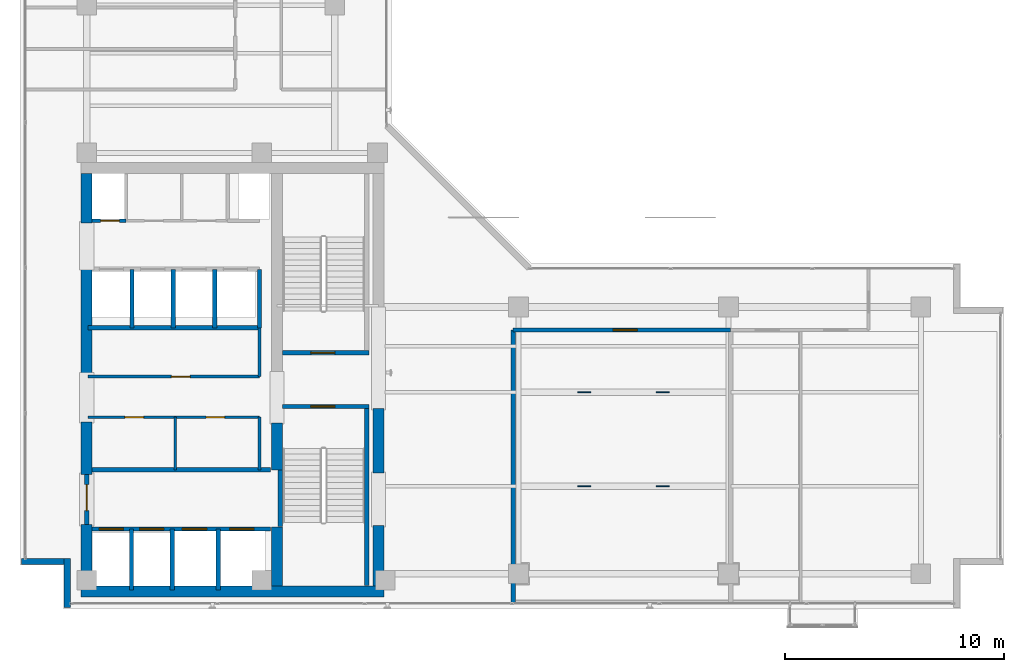
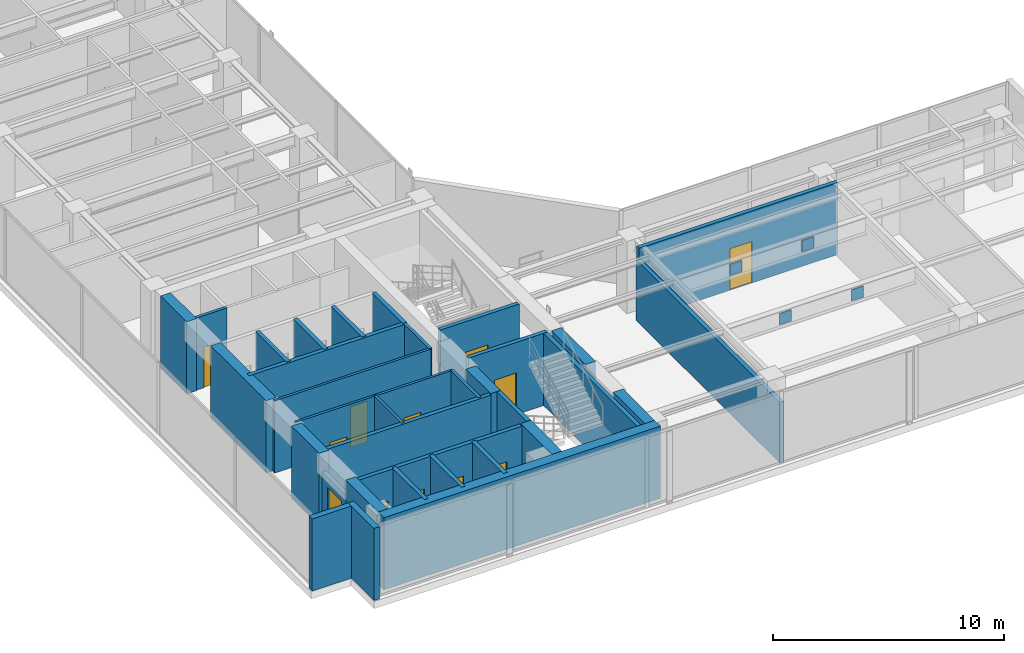
# One storey, part 25 of 32: 34 walls, 12 doors, 4 plates, 12 openings.
"""IFC4 building model written with IfcOpenShell, lengths in metres."""

import ifcopenshell
import ifcopenshell.guid

model = None  # the IFC model being written
_history = None  # IfcOwnerHistory: only IFC2X3 demands one
_inside = {}  # id of a spatial element -> (the spatial element, [elements in it])
_under = {}  # id of a project, library or spatial element -> (it, [spatial elements below it])
_declared = {}  # id of a project -> (the project, [libraries it declares])
_typed = {}  # id of a type object -> (the type object, [elements of that type])
_made_of = {}  # id of a material, layer set ... -> (it, [elements and type objects made of it])


def new_model(schema):
    """Start an empty IFC model of exactly this schema.

    Asked for "IFC4X3", IfcOpenShell would pick the latest addendum, in which some entities
    have other attributes; the version numbers below select the first issue.
    IFC2X3 requires an IfcOwnerHistory on every rooted entity: one is made here for all.
    """
    global model, _history
    if schema == "IFC4X3":
        model = ifcopenshell.file(schema_version=(4, 3, 0, 0))
    else:
        model = ifcopenshell.file(schema=schema)
    _inside.clear()
    _under.clear()
    _declared.clear()
    _typed.clear()
    _made_of.clear()
    _history = None
    if model.schema == "IFC2X3":
        org = make("IfcOrganization", Name="unknown")
        user = make(
            "IfcPersonAndOrganization",
            ThePerson=make("IfcPerson", FamilyName="unknown"),
            TheOrganization=org,
        )
        app = make(
            "IfcApplication",
            ApplicationDeveloper=org,
            Version="unknown",
            ApplicationFullName="unknown",
            ApplicationIdentifier="unknown",
        )
        _history = make(
            "IfcOwnerHistory",
            OwningUser=user,
            OwningApplication=app,
            ChangeAction="ADDED",
            CreationDate=0,
        )
    return model


def make(cls, **values):
    """One entity of the class cls with the attributes given. An attribute that is None is left unset."""
    return model.create_entity(
        cls, **{name: value for name, value in values.items() if value is not None}
    )


def rooted(cls, **values):
    """An entity with a GlobalId (a new one), such as an element, a storey or a relation."""
    return make(cls, GlobalId=ifcopenshell.guid.new(), OwnerHistory=_history, **values)


def si_unit(unit_type, name, prefix=None):
    """IfcSIUnit, for example si_unit("LENGTHUNIT", "METRE", prefix="MILLI")."""
    return make("IfcSIUnit", UnitType=unit_type, Prefix=prefix, Name=name)


def assignment(units):
    """IfcUnitAssignment: the units of a project."""
    return None if units is None else make("IfcUnitAssignment", Units=units)


def point(xyz):
    """IfcCartesianPoint."""
    return None if xyz is None else make("IfcCartesianPoint", Coordinates=xyz)


def direction(xyz):
    """IfcDirection."""
    return None if xyz is None else make("IfcDirection", DirectionRatios=xyz)


def frame(location, z_axis=None, x_axis=None):
    """IfcAxis2Placement3D, a coordinate frame: its origin and axes. An axis left out is left unset."""
    return make(
        "IfcAxis2Placement3D",
        Location=point(location),
        Axis=direction(z_axis),
        RefDirection=direction(x_axis),
    )


def frame_2d(location, x_axis=None):
    """IfcAxis2Placement2D, a coordinate frame in the plane: its origin and x axis."""
    return make(
        "IfcAxis2Placement2D", Location=point(location), RefDirection=direction(x_axis)
    )


def origin():
    """The frame at (0, 0, 0) with its axes left unset."""
    return frame((0.0, 0.0, 0.0))


def origin_with_axes():
    """The frame at (0, 0, 0) with the z axis (0, 0, 1) and the x axis (1, 0, 0) written out."""
    return frame((0.0, 0.0, 0.0), z_axis=(0.0, 0.0, 1.0), x_axis=(1.0, 0.0, 0.0))


def origin_2d():
    """The frame at (0, 0) in the plane with its x axis left unset."""
    return frame_2d((0.0, 0.0))


def place(relative_to, where):
    """IfcLocalPlacement: puts the frame where relative to a parent placement (None: the world)."""
    return make(
        "IfcLocalPlacement", PlacementRelTo=relative_to, RelativePlacement=where
    )


def context(
    kind, dimensions, precision=None, world=None, true_north=None, identifier=None
):
    """IfcGeometricRepresentationContext, for example the 3D "Model" context."""
    return make(
        "IfcGeometricRepresentationContext",
        ContextIdentifier=identifier,
        ContextType=kind,
        CoordinateSpaceDimension=dimensions,
        Precision=precision,
        WorldCoordinateSystem=world,
        TrueNorth=true_north,
    )


def subcontext(parent, identifier, kind, view, scale=None):
    """IfcGeometricRepresentationSubContext, for example "Body" below "Model"."""
    return make(
        "IfcGeometricRepresentationSubContext",
        ContextIdentifier=identifier,
        ContextType=kind,
        ParentContext=parent,
        TargetScale=scale,
        TargetView=view,
    )


def project(units=None, contexts=None):
    """IfcProject with its units and contexts."""
    return rooted(
        "IfcProject",
        Name="project",
        RepresentationContexts=contexts,
        UnitsInContext=assignment(units),
    )


def spatial(cls, under=None, at=None, **own):
    """A site, building, storey or space (cls), placed at a placement, below another one or the project."""
    s = rooted(cls, ObjectPlacement=at, **own)
    if under is not None:
        _under.setdefault(under.id(), (under, []))[1].append(s)
    return s


def profile(cls, at=None, kind="AREA", **sizes):
    """A parametric profile (cls). Its sizes go by their IFC names, for example OverallWidth=200.0."""
    return make(cls, ProfileType=kind, Position=at, **sizes)


def rectangle(**sizes):
    """IfcRectangleProfileDef."""
    return profile("IfcRectangleProfileDef", **sizes)


def extrude(swept, where, along, depth):
    """IfcExtrudedAreaSolid: the profile swept, set in the frame where, extruded along a direction by depth."""
    return make(
        "IfcExtrudedAreaSolid",
        SweptArea=swept,
        Position=where,
        ExtrudedDirection=direction(along),
        Depth=depth,
    )


def shape(context_of_items, identifier, shape_type, items):
    """IfcShapeRepresentation: the items that make up one representation, for example the "Body"."""
    return make(
        "IfcShapeRepresentation",
        ContextOfItems=context_of_items,
        RepresentationIdentifier=identifier,
        RepresentationType=shape_type,
        Items=items,
    )


def source(mapping_origin, context_of_items, identifier, shape_type, items):
    """IfcRepresentationMap: a shape defined once, which mapped items show again and again."""
    return make(
        "IfcRepresentationMap",
        MappingOrigin=mapping_origin,
        MappedRepresentation=shape(context_of_items, identifier, shape_type, items),
    )


def transform(
    local_origin,
    x_axis=None,
    y_axis=None,
    z_axis=None,
    scale=None,
    scale2=None,
    scale3=None,
    uniform=True,
):
    """IfcCartesianTransformationOperator3D, or its non-uniform kind. x_axis, y_axis, z_axis: its Axis1, 2, 3."""
    if uniform:
        return make(
            "IfcCartesianTransformationOperator3D",
            Axis1=direction(x_axis),
            Axis2=direction(y_axis),
            LocalOrigin=point(local_origin),
            Scale=scale,
            Axis3=direction(z_axis),
        )
    return make(
        "IfcCartesianTransformationOperator3DnonUniform",
        Axis1=direction(x_axis),
        Axis2=direction(y_axis),
        LocalOrigin=point(local_origin),
        Scale=scale,
        Axis3=direction(z_axis),
        Scale2=scale2,
        Scale3=scale3,
    )


def mapped(mapping_source, mapping_target):
    """IfcMappedItem: shows the shape of a source again, moved by a transform."""
    return make(
        "IfcMappedItem", MappingSource=mapping_source, MappingTarget=mapping_target
    )


def material(Name=None, Category=None):
    """IfcMaterial."""
    return make("IfcMaterial", Name=Name, Category=Category)


def layer(
    of_material, thickness, ventilated=None, Name=None, Category=None, Priority=None
):
    """IfcMaterialLayer: one layer of a wall or slab, of a material (None: an air gap)."""
    return make(
        "IfcMaterialLayer",
        Material=of_material,
        LayerThickness=thickness,
        IsVentilated=ventilated,
        Name=Name,
        Category=Category,
        Priority=Priority,
    )


def layer_set(layers, Name=None):
    """IfcMaterialLayerSet."""
    return make("IfcMaterialLayerSet", MaterialLayers=layers, LayerSetName=Name)


def made_of(thing, what):
    """Note that an element or type object is made of a material, layer set ...; save() writes the relation."""
    if what is not None:
        _made_of.setdefault(what.id(), (what, []))[1].append(thing)
    return thing


def type_object(cls, material=None, **own):
    """A type object (cls), such as IfcWallType, which elements share."""
    return made_of(rooted(cls, **own), material)


def element(
    cls,
    number,
    at=None,
    inside=None,
    cuts=None,
    type_object=None,
    material=None,
    context=None,
    identifier="Body",
    shape_type=None,
    held_by="IfcProductDefinitionShape",
    body=None,
    shapes=None,
    **own,
):
    """One element of the class cls, such as IfcWall. Its Tag is "e" and its number.

    at: its placement. inside: the storey or other place that contains it. cuts: it is an
    opening in that element (IfcRelVoidsElement). A single representation is given by context,
    identifier, shape_type and body (its items); several are given by shapes. held_by: the class
    of the entity that holds the representations. save() writes the other relations.
    """
    e = rooted(cls, Tag="e%d" % number, ObjectPlacement=at, **own)
    if body is not None:
        shapes = [shape(context, identifier, shape_type, body)]
    if shapes is not None:
        e.Representation = make(held_by, Representations=shapes)
    if inside is not None:
        _inside.setdefault(inside.id(), (inside, []))[1].append(e)
    if cuts is not None:
        rooted(
            "IfcRelVoidsElement", RelatingBuildingElement=cuts, RelatedOpeningElement=e
        )
    if type_object is not None:
        _typed.setdefault(type_object.id(), (type_object, []))[1].append(e)
    return made_of(e, material)


def fill(opening, filler):
    """IfcRelFillsElement: the door or window that sits in an opening."""
    return rooted(
        "IfcRelFillsElement",
        RelatingOpeningElement=opening,
        RelatedBuildingElement=filler,
    )


def aggregate(whole, parts):
    """IfcRelAggregates: a whole, such as a stair, and the parts it consists of."""
    return rooted("IfcRelAggregates", RelatingObject=whole, RelatedObjects=parts)


def save(model, path):
    """Write the relations noted so far, then the file.

    IfcRelAggregates (storeys below a building ...), IfcRelContainedInSpatialStructure (elements
    in a storey), IfcRelDefinesByType, IfcRelAssociatesMaterial and IfcRelDeclares: one each for
    every whole, place, type object, material and project.
    """
    for whole, parts in _under.values():
        aggregate(whole, parts)
    for where, things in _inside.values():
        rooted(
            "IfcRelContainedInSpatialStructure",
            RelatedElements=things,
            RelatingStructure=where,
        )
    for kind, things in _typed.values():
        rooted("IfcRelDefinesByType", RelatedObjects=things, RelatingType=kind)
    for what, things in _made_of.values():
        rooted("IfcRelAssociatesMaterial", RelatedObjects=things, RelatingMaterial=what)
    for by, libraries in _declared.values():
        rooted("IfcRelDeclares", RelatingContext=by, RelatedDefinitions=libraries)
    model.write(path)


model = new_model("IFC4")

# Units and contexts
model_context = context("Model", 3, precision=1e-05, world=origin(), true_north=direction((0.0, 1.0)))
body_context = subcontext(model_context, "Body", "Model", "MODEL_VIEW")
ifc_project = project(units=[si_unit("LENGTHUNIT", "METRE"), si_unit("AREAUNIT", "SQUARE_METRE"), si_unit("VOLUMEUNIT", "CUBIC_METRE"), si_unit("PLANEANGLEUNIT", "RADIAN"), si_unit("MASSUNIT", "GRAM", prefix="KILO")], contexts=[model_context])

# Site, building, storey
site_placement = place(None, origin())
site = spatial("IfcSite", under=ifc_project, at=site_placement, CompositionType="ELEMENT")
building_placement = place(site_placement, origin())
building = spatial("IfcBuilding", under=site, at=building_placement, Name="Kolvaren Waterfront Exchange", CompositionType="ELEMENT")
storey_placement = place(building_placement, frame((0.0, 0.0, 352.0)))
storey = spatial("IfcBuildingStorey", under=building, at=storey_placement, Name="L90", CompositionType="ELEMENT", Elevation=352.0)

# Plates
ifc_material_1 = material(Name="Steel S460", Category="steel")
ifc_layer_1 = layer(ifc_material_1, 0.050048828125, Name="Steel S460")
ifc_layer_set_1 = layer_set([ifc_layer_1], Name="Steel S460")
plate_type = type_object("IfcPlateType", Name="STR-PL-TN1", PredefinedType="USERDEFINED", material=ifc_layer_set_1)
shared_shape = source(origin_with_axes(), body_context, "Body", "SweptSolid", [
    extrude(rectangle(XDim=0.60009765625, YDim=0.050048828125, at=origin_2d()), origin(), (0.0, 0.0, 1.0), 0.60009765625),
])
for number, where, z_axis, x_axis, name in (
    (1, (30.199951171875, 9.199951171875, 3.02001953125), (0.0, 0.0, 1.0), (1.0, 0.0, 0.0), "TUNED MASS DAMPER hanger top flange plate 1"),
    (2, (33.800048828125, 9.199951171875, 3.02001953125), (0.0, 0.0, 1.0), (1.0, 0.0, 0.0), "TUNED MASS DAMPER hanger top flange plate 2"),
    (3, (30.199951171875, 13.5, 3.02001953125), (0.0, 0.0, 1.0), (1.0, 0.0, 0.0), "TUNED MASS DAMPER hanger top flange plate 3"),
    (4, (33.800048828125, 13.5, 3.02001953125), (0.0, 0.0, 1.0), (1.0, 0.0, 0.0), "TUNED MASS DAMPER hanger top flange plate 4"),
):
    element("IfcPlate", number, at=place(storey_placement, frame(where, z_axis=z_axis, x_axis=x_axis)), inside=storey, type_object=plate_type, Name=name, ObjectType="FLANGE PLATE", PredefinedType="USERDEFINED", context=body_context, shape_type="MappedRepresentation", body=[
        mapped(shared_shape, transform((0.0, 0.0, 0.0), x_axis=(1.0, 0.0, 0.0), y_axis=(0.0, 1.0, 0.0), z_axis=(0.0, 0.0, 1.0), scale=1.0)),
    ])

# Walls
ifc_material_2 = material(Name="Precast concrete C40/50", Category="concrete")
ifc_layer_2 = layer(ifc_material_2, 0.280029296875, Name="Precast concrete C40/50")
ifc_layer_set_2 = layer_set([ifc_layer_2], Name="Precast concrete C40/50")
wall_type_1 = type_object("IfcWallType", Name="ARC-EXT-TERR-280", PredefinedType="SOLIDWALL", material=ifc_layer_set_2)
wall_1_placement = place(storey_placement, frame((6.56005859375, 3.659912109375, 0.0), z_axis=(0.0, 0.0, 1.0), x_axis=(0.0, 1.0, 0.0)))
element("IfcWall", 5, at=wall_1_placement, inside=storey, type_object=wall_type_1, Name="L90 notched corner spandrel pier SW-A", PredefinedType="SOLIDWALL", context=body_context, shape_type="SweptSolid", body=[
    extrude(rectangle(XDim=2.239990234375, YDim=0.280029296875, at=frame_2d((1.1201171875, 0.0))), origin(), (0.0, 0.0, 1.0), 3.820068359375),
])
wall_2_placement = place(storey_placement, frame((4.4599609375, 5.760009765625, 0.0), z_axis=(0.0, 0.0, 1.0), x_axis=(1.0, 0.0, 0.0)))
element("IfcWall", 6, at=wall_2_placement, inside=storey, type_object=wall_type_1, Name="L90 notched corner spandrel pier SW-B", PredefinedType="SOLIDWALL", context=body_context, shape_type="SweptSolid", body=[
    extrude(rectangle(XDim=1.9599609375, YDim=0.280029296875, at=frame_2d((0.97998046875, 0.0))), origin(), (0.0, 0.0, 1.0), 3.820068359375),
])

# Wall, opening, door
ifc_layer_3 = layer(ifc_material_2, 0.199951171875, Name="Precast concrete C40/50")
ifc_layer_set_3 = layer_set([ifc_layer_3], Name="Precast concrete C40/50")
wall_type_2 = type_object("IfcWallType", Name="ARC-FIRE-200", PredefinedType="PARTITIONING", material=ifc_layer_set_3)
wall_3_placement = place(storey_placement, frame((16.39990234375, 12.85009765625, 0.0), z_axis=(0.0, 0.0, 1.0), x_axis=(1.0, 0.0, 0.0)))
wall_3 = element("IfcWall", 7, at=wall_3_placement, inside=storey, type_object=wall_type_2, Name="L90 interior wall PW-L90-ST1-THROAT-S", PredefinedType="PARTITIONING", context=body_context, shape_type="SweptSolid", body=[
    extrude(rectangle(XDim=3.960205078125, YDim=0.199951171875, at=frame_2d((1.97998046875, 0.0))), origin(), (0.0, 0.0, 1.0), 3.820068359375),
])
opening_1_placement = place(wall_3_placement, frame((1.3037109375, 0.0, 0.0)))
opening_1 = element("IfcOpeningElement", 8, at=opening_1_placement, cuts=wall_3, Name="Opening FD2", PredefinedType="OPENING", context=body_context, shape_type="SweptSolid", body=[
    extrude(rectangle(XDim=1.10009765625, YDim=2.199951171875, at=frame_2d((0.550048828125, 1.10009765625))), frame((0.0, 0.10986328125, 0.0), z_axis=(0.0, -1.0, 0.0), x_axis=(1.0, 0.0, 0.0)), (0.0, 0.0, 1.0), 0.219970703125),
])
ifc_material_3 = material(Name="Pressed steel smoke-seal fire door", Category="steel")
door_type_1 = type_object("IfcDoorType", Name="ARC-FD-1100", OperationType="NOTDEFINED", PredefinedType="DOOR", material=ifc_material_3)
door_1_placement = place(opening_1_placement, frame((1.10009765625, 0.0, 0.0), z_axis=(0.0, 0.0, 1.0), x_axis=(-1.0, 0.0, 0.0)))
door_1 = element("IfcDoor", 9, at=door_1_placement, inside=storey, type_object=door_type_1, Name="L90 door DR-L90-ST1-IN (FD2)", OperationType="SINGLE_SWING_LEFT", OverallHeight=2.199951171875, OverallWidth=1.10009765625, PredefinedType="DOOR", context=body_context, shape_type="SweptSolid", body=[
    extrude(rectangle(XDim=1.10009765625, YDim=2.199951171875, at=frame_2d((0.550048828125, 1.10009765625))), frame((0.0, 0.02490234375, 0.0), z_axis=(0.0, -1.0, 0.0), x_axis=(1.0, 0.0, 0.0)), (0.0, 0.0, 1.0), 0.050048828125),
])
fill(opening_1, door_1)

wall_4_placement = place(storey_placement, frame((16.409912109375, 15.300048828125, 0.0), z_axis=(0.0, 0.0, 1.0), x_axis=(1.0, 0.0, 0.0)))
wall_4 = element("IfcWall", 10, at=wall_4_placement, inside=storey, type_object=wall_type_2, Name="L90 interior wall PW-L90-ST2-THROAT-N", PredefinedType="PARTITIONING", context=body_context, shape_type="SweptSolid", body=[
    extrude(rectangle(XDim=3.9501953125, YDim=0.199951171875, at=frame_2d((1.97509765625, 0.0))), origin(), (0.0, 0.0, 1.0), 3.820068359375),
])
opening_2_placement = place(wall_4_placement, frame((1.293701171875, 0.0, 0.0)))
opening_2 = element("IfcOpeningElement", 11, at=opening_2_placement, cuts=wall_4, Name="Opening FD2", PredefinedType="OPENING", context=body_context, shape_type="SweptSolid", body=[
    extrude(rectangle(XDim=1.10009765625, YDim=2.199951171875, at=frame_2d((0.550048828125, 1.10009765625))), frame((0.0, 0.10986328125, 0.0), z_axis=(0.0, -1.0, 0.0), x_axis=(1.0, 0.0, 0.0)), (0.0, 0.0, 1.0), 0.219970703125),
])
door_2_placement = place(opening_2_placement, origin())
door_2 = element("IfcDoor", 12, at=door_2_placement, inside=storey, type_object=door_type_1, Name="L90 door DR-L90-ST2-IN (FD2)", OperationType="SINGLE_SWING_RIGHT", OverallHeight=2.199951171875, OverallWidth=1.10009765625, PredefinedType="DOOR", context=body_context, shape_type="SweptSolid", body=[
    extrude(rectangle(XDim=1.10009765625, YDim=2.199951171875, at=frame_2d((0.550048828125, 1.10009765625))), frame((0.0, 0.02490234375, 0.0), z_axis=(0.0, -1.0, 0.0), x_axis=(1.0, 0.0, 0.0)), (0.0, 0.0, 1.0), 0.050048828125),
])
fill(opening_2, door_2)

# Wall
wall_5_placement = place(storey_placement, frame((7.5, 9.949951171875, 0.0), z_axis=(0.0, 0.0, 1.0), x_axis=(1.0, 0.0, 0.0)))
element("IfcWall", 13, at=wall_5_placement, inside=storey, type_object=wall_type_2, Name="L90 interior wall PW-L90-FF-N", PredefinedType="PARTITIONING", context=body_context, shape_type="SweptSolid", body=[
    extrude(rectangle(XDim=8.35009765625, YDim=0.199951171875, at=frame_2d((4.175048828125, 0.0))), origin(), (0.0, 0.0, 1.0), 3.820068359375),
])

# Wall, opening, door
wall_6_placement = place(storey_placement, frame((7.449951171875, 7.449951171875, 0.0), z_axis=(0.0, 0.0, 1.0), x_axis=(0.0, 1.0, 0.0)))
wall_6 = element("IfcWall", 14, at=wall_6_placement, inside=storey, type_object=wall_type_2, Name="L90 interior wall PW-L90-FF-W-DOOR", PredefinedType="PARTITIONING", context=body_context, shape_type="SweptSolid", body=[
    extrude(rectangle(XDim=2.300048828125, YDim=0.199951171875, at=frame_2d((1.14990234375, 0.0))), origin(), (0.0, 0.0, 1.0), 2.800048828125),
])
opening_3_placement = place(wall_6_placement, frame((0.63330078125, 0.0, 0.0)))
opening_3 = element("IfcOpeningElement", 15, at=opening_3_placement, cuts=wall_6, Name="Opening FD3", PredefinedType="OPENING", context=body_context, shape_type="SweptSolid", body=[
    extrude(rectangle(XDim=1.199951171875, YDim=2.25, at=frame_2d((0.60009765625, 1.125))), frame((0.0, 0.10986328125, 0.0), z_axis=(0.0, -1.0, 0.0), x_axis=(1.0, 0.0, 0.0)), (0.0, 0.0, 1.0), 0.219970703125),
])
ifc_material_4 = material(Name="Pressed steel fire door", Category="steel")
door_type_2 = type_object("IfcDoorType", Name="ARC-FD-1200", OperationType="NOTDEFINED", PredefinedType="DOOR", material=ifc_material_4)
door_3_placement = place(opening_3_placement, frame((1.199951171875, 0.0, 0.0), z_axis=(0.0, 0.0, 1.0), x_axis=(-1.0, 0.0, 0.0)))
door_3 = element("IfcDoor", 16, at=door_3_placement, inside=storey, type_object=door_type_2, Name="L90 door DR-L90-FF-OUT (FD3)", OperationType="SINGLE_SWING_LEFT", OverallHeight=2.25, OverallWidth=1.199951171875, PredefinedType="DOOR", context=body_context, shape_type="SweptSolid", body=[
    extrude(rectangle(XDim=1.199951171875, YDim=2.25, at=frame_2d((0.60009765625, 1.125))), frame((0.0, 0.02490234375, 0.0), z_axis=(0.0, -1.0, 0.0), x_axis=(1.0, 0.0, 0.0)), (0.0, 0.0, 1.0), 0.050048828125),
])
fill(opening_3, door_3)

# Wall
wall_7_placement = place(storey_placement, frame((26.949951171875, 3.85009765625, 0.0), z_axis=(0.0, 0.0, 1.0), x_axis=(0.0, 1.0, 0.0)))
element("IfcWall", 17, at=wall_7_placement, inside=storey, type_object=wall_type_2, Name="L90 interior wall PW-L90-TMD-W", PredefinedType="PARTITIONING", context=body_context, shape_type="SweptSolid", body=[
    extrude(rectangle(XDim=12.5, YDim=0.199951171875, at=frame_2d((6.25, 0.0))), origin(), (0.0, 0.0, 1.0), 3.219970703125),
])

# Wall, opening, door
wall_8_placement = place(storey_placement, frame((26.949951171875, 16.35009765625, 0.0), z_axis=(0.0, 0.0, 1.0), x_axis=(1.0, 0.0, 0.0)))
wall_8 = element("IfcWall", 18, at=wall_8_placement, inside=storey, type_object=wall_type_2, Name="L90 interior wall PW-L90-TMD-N", PredefinedType="PARTITIONING", context=body_context, shape_type="SweptSolid", body=[
    extrude(rectangle(XDim=9.949951171875, YDim=0.199951171875, at=frame_2d((4.97509765625, 0.0))), origin(), (0.0, 0.0, 1.0), 3.820068359375),
])
opening_4_placement = place(wall_8_placement, frame((4.570068359375, 0.0, 0.0)))
opening_4 = element("IfcOpeningElement", 19, at=opening_4_placement, cuts=wall_8, Name="Opening FD2", PredefinedType="OPENING", context=body_context, shape_type="SweptSolid", body=[
    extrude(rectangle(XDim=1.10009765625, YDim=2.199951171875, at=frame_2d((0.550048828125, 1.10009765625))), frame((0.0, 0.10986328125, 0.0), z_axis=(0.0, -1.0, 0.0), x_axis=(1.0, 0.0, 0.0)), (0.0, 0.0, 1.0), 0.219970703125),
])
door_4_placement = place(opening_4_placement, origin())
door_4 = element("IfcDoor", 20, at=door_4_placement, inside=storey, type_object=door_type_1, Name="L90 door DR-L90-TMD-D (FD2)", OperationType="SINGLE_SWING_RIGHT", OverallHeight=2.199951171875, OverallWidth=1.10009765625, PredefinedType="DOOR", context=body_context, shape_type="SweptSolid", body=[
    extrude(rectangle(XDim=1.10009765625, YDim=2.199951171875, at=frame_2d((0.550048828125, 1.10009765625))), frame((0.0, 0.02490234375, 0.0), z_axis=(0.0, -1.0, 0.0), x_axis=(1.0, 0.0, 0.0)), (0.0, 0.0, 1.0), 0.050048828125),
])
fill(opening_4, door_4)

# Wall, openings, doors
ifc_material_5 = material(Name="Acoustic gypsum steel stud", Category="steel")
ifc_layer_4 = layer(ifc_material_5, 0.125, Name="Acoustic gypsum steel stud")
ifc_layer_set_4 = layer_set([ifc_layer_4], Name="Acoustic gypsum steel stud")
wall_type_3 = type_object("IfcWallType", Name="ARC-PART-125", PredefinedType="PARTITIONING", material=ifc_layer_set_4)
wall_9_placement = place(storey_placement, frame((7.5, 12.360107421875, 0.0), z_axis=(0.0, 0.0, 1.0), x_axis=(1.0, 0.0, 0.0)))
wall_9 = element("IfcWall", 21, at=wall_9_placement, inside=storey, type_object=wall_type_3, Name="L90 interior wall PW-L90-REC-HI-S", PredefinedType="PARTITIONING", context=body_context, shape_type="SweptSolid", body=[
    extrude(rectangle(XDim=7.85009765625, YDim=0.125, at=frame_2d((3.925048828125, 0.0))), origin(), (0.0, 0.0, 1.0), 3.820068359375),
])
opening_5_placement = place(wall_9_placement, frame((1.699951171875, 0.0, 0.0)))
opening_5 = element("IfcOpeningElement", 22, at=opening_5_placement, cuts=wall_9, Name="Opening D01", PredefinedType="OPENING", context=body_context, shape_type="SweptSolid", body=[
    extrude(rectangle(XDim=0.85009765625, YDim=2.14990234375, at=frame_2d((0.425048828125, 1.074951171875))), frame((0.0, 0.072509765625, 0.0), z_axis=(0.0, -1.0, 0.0), x_axis=(1.0, 0.0, 0.0)), (0.0, 0.0, 1.0), 0.14501953125),
])
opening_6_placement = place(wall_9_placement, frame((5.41259765625, 0.0, 0.0)))
opening_6 = element("IfcOpeningElement", 23, at=opening_6_placement, cuts=wall_9, Name="Opening D01", PredefinedType="OPENING", context=body_context, shape_type="SweptSolid", body=[
    extrude(rectangle(XDim=0.85009765625, YDim=2.14990234375, at=frame_2d((0.425048828125, 1.074951171875))), frame((0.0, 0.072509765625, 0.0), z_axis=(0.0, -1.0, 0.0), x_axis=(1.0, 0.0, 0.0)), (0.0, 0.0, 1.0), 0.14501953125),
])
ifc_material_6 = material(Name="Oak veneer timber leaf", Category="wood")
door_type_3 = type_object("IfcDoorType", Name="ARC-DR-900", OperationType="NOTDEFINED", PredefinedType="DOOR", material=ifc_material_6)
door_5_placement = place(opening_5_placement, origin())
door_5 = element("IfcDoor", 24, at=door_5_placement, inside=storey, type_object=door_type_3, Name="L90 door DR-L90-REC-HI-D1 (D01)", OperationType="SINGLE_SWING_RIGHT", OverallHeight=2.14990234375, OverallWidth=0.85009765625, PredefinedType="DOOR", context=body_context, shape_type="SweptSolid", body=[
    extrude(rectangle(XDim=0.85009765625, YDim=2.14990234375, at=frame_2d((0.425048828125, 1.074951171875))), frame((0.0, 0.02490234375, 0.0), z_axis=(0.0, -1.0, 0.0), x_axis=(1.0, 0.0, 0.0)), (0.0, 0.0, 1.0), 0.050048828125),
])
fill(opening_5, door_5)
door_6_placement = place(opening_6_placement, origin())
door_6 = element("IfcDoor", 25, at=door_6_placement, inside=storey, type_object=door_type_3, Name="L90 door DR-L90-REC-HI-D2 (D01)", OperationType="SINGLE_SWING_LEFT", OverallHeight=2.14990234375, OverallWidth=0.85009765625, PredefinedType="DOOR", context=body_context, shape_type="SweptSolid", body=[
    extrude(rectangle(XDim=0.85009765625, YDim=2.14990234375, at=frame_2d((0.425048828125, 1.074951171875))), frame((0.0, 0.02490234375, 0.0), z_axis=(0.0, -1.0, 0.0), x_axis=(1.0, 0.0, 0.0)), (0.0, 0.0, 1.0), 0.050048828125),
])
fill(opening_6, door_6)

# Wall, opening, door
wall_10_placement = place(storey_placement, frame((7.5, 14.219970703125, 0.0), z_axis=(0.0, 0.0, 1.0), x_axis=(1.0, 0.0, 0.0)))
wall_10 = element("IfcWall", 26, at=wall_10_placement, inside=storey, type_object=wall_type_3, Name="L90 interior wall PW-L90-REC-HI-N", PredefinedType="PARTITIONING", context=body_context, shape_type="SweptSolid", body=[
    extrude(rectangle(XDim=7.85009765625, YDim=0.125, at=frame_2d((3.925048828125, 0.0))), origin(), (0.0, 0.0, 1.0), 3.820068359375),
])
opening_7_placement = place(wall_10_placement, frame((3.824951171875, 0.0, 0.0)))
opening_7 = element("IfcOpeningElement", 27, at=opening_7_placement, cuts=wall_10, Name="Opening D01", PredefinedType="OPENING", context=body_context, shape_type="SweptSolid", body=[
    extrude(rectangle(XDim=0.85009765625, YDim=2.14990234375, at=frame_2d((0.425048828125, 1.074951171875))), frame((0.0, 0.072509765625, 0.0), z_axis=(0.0, -1.0, 0.0), x_axis=(1.0, 0.0, 0.0)), (0.0, 0.0, 1.0), 0.14501953125),
])
door_7_placement = place(opening_7_placement, origin())
door_7 = element("IfcDoor", 28, at=door_7_placement, inside=storey, type_object=door_type_3, Name="L90 door DR-L90-REC-HI-D3 (D01)", OperationType="SINGLE_SWING_RIGHT", OverallHeight=2.14990234375, OverallWidth=0.85009765625, PredefinedType="DOOR", context=body_context, shape_type="SweptSolid", body=[
    extrude(rectangle(XDim=0.85009765625, YDim=2.14990234375, at=frame_2d((0.425048828125, 1.074951171875))), frame((0.0, 0.02490234375, 0.0), z_axis=(0.0, -1.0, 0.0), x_axis=(1.0, 0.0, 0.0)), (0.0, 0.0, 1.0), 0.050048828125),
])
fill(opening_7, door_7)

# Walls
wall_11_placement = place(storey_placement, frame((11.5, 9.949951171875, 0.0), z_axis=(0.0, 0.0, 1.0), x_axis=(0.0, 1.0, 0.0)))
element("IfcWall", 29, at=wall_11_placement, inside=storey, type_object=wall_type_3, Name="L90 interior wall PW-L90-REC-HI-MS1", PredefinedType="PARTITIONING", context=body_context, shape_type="SweptSolid", body=[
    extrude(rectangle(XDim=2.41015625, YDim=0.125, at=frame_2d((1.205078125, 0.0))), origin(), (0.0, 0.0, 1.0), 3.820068359375),
])
ifc_material_7 = material(Name="Gypsum fireboard steel stud", Category="steel")
ifc_layer_5 = layer(ifc_material_7, 0.14990234375, Name="Gypsum fireboard steel stud")
ifc_layer_set_5 = layer_set([ifc_layer_5], Name="Gypsum fireboard steel stud")
wall_type_4 = type_object("IfcWallType", Name="ARC-PART-150", PredefinedType="PARTITIONING", material=ifc_layer_set_5)
wall_12_placement = place(storey_placement, frame((15.35009765625, 9.949951171875, 0.0), z_axis=(0.0, 0.0, 1.0), x_axis=(0.0, 1.0, 0.0)))
element("IfcWall", 30, at=wall_12_placement, inside=storey, type_object=wall_type_4, Name="L90 interior wall PW-L90-REC-HI-E1", PredefinedType="PARTITIONING", context=body_context, shape_type="SweptSolid", body=[
    extrude(rectangle(XDim=2.41015625, YDim=0.14990234375, at=frame_2d((1.205078125, 0.0))), origin(), (0.0, 0.0, 1.0), 3.820068359375),
])
wall_13_placement = place(storey_placement, frame((15.35009765625, 14.219970703125, 0.0), z_axis=(0.0, 0.0, 1.0), x_axis=(0.0, 1.0, 0.0)))
element("IfcWall", 31, at=wall_13_placement, inside=storey, type_object=wall_type_4, Name="L90 interior wall PW-L90-REC-HI-E2", PredefinedType="PARTITIONING", context=body_context, shape_type="SweptSolid", body=[
    extrude(rectangle(XDim=2.22998046875, YDim=0.14990234375, at=frame_2d((1.114990234375, 0.0))), origin(), (0.0, 0.0, 1.0), 3.820068359375),
])

# Wall, opening, door
wall_14_placement = place(storey_placement, frame((7.699951171875, 21.35009765625, 0.0), z_axis=(0.0, 0.0, 1.0), x_axis=(1.0, 0.0, 0.0)))
wall_14 = element("IfcWall", 32, at=wall_14_placement, inside=storey, type_object=wall_type_4, Name="L90 interior wall PW-L90-SVC-RE-S", PredefinedType="PARTITIONING", context=body_context, shape_type="SweptSolid", body=[
    extrude(rectangle(XDim=1.550048828125, YDim=0.14990234375, at=frame_2d((0.77490234375, 0.0))), origin(), (0.0, 0.0, 1.0), 3.820068359375),
])
opening_8_placement = place(wall_14_placement, frame((0.389892578125, 0.0, 0.0)))
opening_8 = element("IfcOpeningElement", 33, at=opening_8_placement, cuts=wall_14, Name="Opening FD1", PredefinedType="OPENING", context=body_context, shape_type="SweptSolid", body=[
    extrude(rectangle(XDim=0.85009765625, YDim=2.14990234375, at=frame_2d((0.425048828125, 1.074951171875))), frame((0.0, 0.0849609375, 0.0), z_axis=(0.0, -1.0, 0.0), x_axis=(1.0, 0.0, 0.0)), (0.0, 0.0, 1.0), 0.169921875),
])
ifc_material_8 = material(Name="Pressed steel fire leaf", Category="steel")
door_type_4 = type_object("IfcDoorType", Name="ARC-FD-900", OperationType="NOTDEFINED", PredefinedType="DOOR", material=ifc_material_8)
door_8_placement = place(opening_8_placement, origin())
door_8 = element("IfcDoor", 34, at=door_8_placement, inside=storey, type_object=door_type_4, Name="L90 door DR-L90-RISER-E-DR (FD1)", OperationType="SINGLE_SWING_LEFT", OverallHeight=2.14990234375, OverallWidth=0.85009765625, PredefinedType="DOOR", context=body_context, shape_type="SweptSolid", body=[
    extrude(rectangle(XDim=0.85009765625, YDim=2.14990234375, at=frame_2d((0.425048828125, 1.074951171875))), frame((0.0, 0.02490234375, 0.0), z_axis=(0.0, -1.0, 0.0), x_axis=(1.0, 0.0, 0.0)), (0.0, 0.0, 1.0), 0.050048828125),
])
fill(opening_8, door_8)

# Walls
ifc_material_9 = material(Name="Concrete C40/50", Category="concrete")
ifc_layer_6 = layer(ifc_material_9, 0.199951171875, Name="Concrete C40/50")
ifc_layer_set_6 = layer_set([ifc_layer_6], Name="Concrete C40/50")
wall_type_5 = type_object("IfcWallType", Name="ARC-SHAFT-200", PredefinedType="PARTITIONING", material=ifc_layer_set_6)
wall_15_placement = place(storey_placement, frame((16.300048828125, 7.360107421875, 0.0), z_axis=(0.0, 0.0, 1.0), x_axis=(0.0, 1.0, 0.0)))
element("IfcWall", 35, at=wall_15_placement, inside=storey, type_object=wall_type_5, Name="L90 structural stairwell wall PW-L90-ST1-W", PredefinedType="SHEAR", context=body_context, shape_type="SweptSolid", body=[
    extrude(rectangle(XDim=2.579833984375, YDim=0.199951171875, at=frame_2d((1.2900390625, 0.0))), origin(), (0.0, 0.0, 1.0), 3.820068359375),
])
wall_16_placement = place(storey_placement, frame((20.260009765625, 4.659912109375, 0.0), z_axis=(0.0, 0.0, 1.0), x_axis=(0.0, 1.0, 0.0)))
element("IfcWall", 36, at=wall_16_placement, inside=storey, type_object=wall_type_5, Name="L90 structural stairwell wall PW-L90-ST1-E", PredefinedType="SHEAR", context=body_context, shape_type="SweptSolid", body=[
    extrude(rectangle(XDim=8.090087890625, YDim=0.199951171875, at=frame_2d((4.044921875, 0.0))), origin(), (0.0, 0.0, 1.0), 3.820068359375),
])

# Wall, openings, doors
wall_17_placement = place(storey_placement, frame((7.5, 7.25, 0.0), z_axis=(0.0, 0.0, 1.0), x_axis=(1.0, 0.0, 0.0)))
wall_17 = element("IfcWall", 37, at=wall_17_placement, inside=storey, type_object=wall_type_5, Name="L90 interior wall PW-L90-FF-S", PredefinedType="PARTITIONING", context=body_context, shape_type="SweptSolid", body=[
    extrude(rectangle(XDim=8.35009765625, YDim=0.199951171875, at=frame_2d((4.175048828125, 0.0))), origin(), (0.0, 0.0, 1.0), 3.820068359375),
])
opening_9_placement = place(wall_17_placement, frame((0.530029296875, 0.0, 0.0)))
opening_9 = element("IfcOpeningElement", 38, at=opening_9_placement, cuts=wall_17, Name="Opening LD1", PredefinedType="OPENING", context=body_context, shape_type="SweptSolid", body=[
    extrude(rectangle(XDim=1.10009765625, YDim=2.199951171875, at=frame_2d((0.550048828125, 1.10009765625))), frame((0.0, 0.10986328125, 0.0), z_axis=(0.0, -1.0, 0.0), x_axis=(1.0, 0.0, 0.0)), (0.0, 0.0, 1.0), 0.219970703125),
])
opening_10_placement = place(wall_17_placement, frame((2.3701171875, 0.0, 0.0)))
opening_10 = element("IfcOpeningElement", 39, at=opening_10_placement, cuts=wall_17, Name="Opening LD1", PredefinedType="OPENING", context=body_context, shape_type="SweptSolid", body=[
    extrude(rectangle(XDim=1.10009765625, YDim=2.199951171875, at=frame_2d((0.550048828125, 1.10009765625))), frame((0.0, 0.10986328125, 0.0), z_axis=(0.0, -1.0, 0.0), x_axis=(1.0, 0.0, 0.0)), (0.0, 0.0, 1.0), 0.219970703125),
])
opening_11_placement = place(wall_17_placement, frame((4.330078125, 0.0, 0.0)))
opening_11 = element("IfcOpeningElement", 40, at=opening_11_placement, cuts=wall_17, Name="Opening LD1", PredefinedType="OPENING", context=body_context, shape_type="SweptSolid", body=[
    extrude(rectangle(XDim=1.10009765625, YDim=2.199951171875, at=frame_2d((0.550048828125, 1.10009765625))), frame((0.0, 0.10986328125, 0.0), z_axis=(0.0, -1.0, 0.0), x_axis=(1.0, 0.0, 0.0)), (0.0, 0.0, 1.0), 0.219970703125),
])
opening_12_placement = place(wall_17_placement, frame((6.5, 0.0, 0.0)))
opening_12 = element("IfcOpeningElement", 41, at=opening_12_placement, cuts=wall_17, Name="Opening LD1", PredefinedType="OPENING", context=body_context, shape_type="SweptSolid", body=[
    extrude(rectangle(XDim=1.10009765625, YDim=2.199951171875, at=frame_2d((0.550048828125, 1.10009765625))), frame((0.0, 0.10986328125, 0.0), z_axis=(0.0, -1.0, 0.0), x_axis=(1.0, 0.0, 0.0)), (0.0, 0.0, 1.0), 0.219970703125),
])
ifc_material_10 = material(Name="Stainless steel sliding landing door", Category="steel")
door_type_5 = type_object("IfcDoorType", Name="ARC-LD-FF", OperationType="SLIDING_TO_LEFT", PredefinedType="DOOR", material=ifc_material_10)
door_9_placement = place(opening_9_placement, origin())
door_9 = element("IfcDoor", 42, at=door_9_placement, inside=storey, type_object=door_type_5, Name="L90 door LD-L90-FFL1 (LD1)", OperationType="SLIDING_TO_LEFT", OverallHeight=2.199951171875, OverallWidth=1.10009765625, PredefinedType="DOOR", context=body_context, shape_type="SweptSolid", body=[
    extrude(rectangle(XDim=1.10009765625, YDim=2.199951171875, at=frame_2d((0.550048828125, 1.10009765625))), frame((0.0, 0.02490234375, 0.0), z_axis=(0.0, -1.0, 0.0), x_axis=(1.0, 0.0, 0.0)), (0.0, 0.0, 1.0), 0.050048828125),
])
fill(opening_9, door_9)
door_10_placement = place(opening_10_placement, origin())
door_10 = element("IfcDoor", 43, at=door_10_placement, inside=storey, type_object=door_type_5, Name="L90 door LD-L90-FFL2 (LD1)", OperationType="SLIDING_TO_LEFT", OverallHeight=2.199951171875, OverallWidth=1.10009765625, PredefinedType="DOOR", context=body_context, shape_type="SweptSolid", body=[
    extrude(rectangle(XDim=1.10009765625, YDim=2.199951171875, at=frame_2d((0.550048828125, 1.10009765625))), frame((0.0, 0.02490234375, 0.0), z_axis=(0.0, -1.0, 0.0), x_axis=(1.0, 0.0, 0.0)), (0.0, 0.0, 1.0), 0.050048828125),
])
fill(opening_10, door_10)
door_11_placement = place(opening_11_placement, origin())
door_11 = element("IfcDoor", 44, at=door_11_placement, inside=storey, type_object=door_type_5, Name="L90 door LD-L90-GL1 (LD1)", OperationType="SLIDING_TO_LEFT", OverallHeight=2.199951171875, OverallWidth=1.10009765625, PredefinedType="DOOR", context=body_context, shape_type="SweptSolid", body=[
    extrude(rectangle(XDim=1.10009765625, YDim=2.199951171875, at=frame_2d((0.550048828125, 1.10009765625))), frame((0.0, 0.02490234375, 0.0), z_axis=(0.0, -1.0, 0.0), x_axis=(1.0, 0.0, 0.0)), (0.0, 0.0, 1.0), 0.050048828125),
])
fill(opening_11, door_11)
door_12_placement = place(opening_12_placement, origin())
door_12 = element("IfcDoor", 45, at=door_12_placement, inside=storey, type_object=door_type_5, Name="L90 door LD-L90-GL2 (LD1)", OperationType="SLIDING_TO_LEFT", OverallHeight=2.199951171875, OverallWidth=1.10009765625, PredefinedType="DOOR", context=body_context, shape_type="SweptSolid", body=[
    extrude(rectangle(XDim=1.10009765625, YDim=2.199951171875, at=frame_2d((0.550048828125, 1.10009765625))), frame((0.0, 0.02490234375, 0.0), z_axis=(0.0, -1.0, 0.0), x_axis=(1.0, 0.0, 0.0)), (0.0, 0.0, 1.0), 0.050048828125),
])
fill(opening_12, door_12)

# Walls
for number, where, z_axis, x_axis, name in (
    (46, (9.5, 4.449951171875, 0.0), (0.0, 0.0, 1.0), (0.0, 1.0, 0.0), "L90 interior wall PW-L90-SH1-DIV-95"),
    (47, (11.360107421875, 4.449951171875, 0.0), (0.0, 0.0, 1.0), (0.0, 1.0, 0.0), "L90 interior wall PW-L90-SH1-DIV-113"),
    (48, (13.4599609375, 4.449951171875, 0.0), (0.0, 0.0, 1.0), (0.0, 1.0, 0.0), "L90 interior wall PW-L90-SH1-DIV-134"),
):
    element("IfcWall", number, at=place(storey_placement, frame(where, z_axis=z_axis, x_axis=x_axis)), inside=storey, type_object=wall_type_5, Name=name, PredefinedType="PARTITIONING", context=body_context, shape_type="SweptSolid", body=[
        extrude(rectangle(XDim=2.800048828125, YDim=0.199951171875, at=frame_2d((1.39990234375, 0.0))), origin(), (0.0, 0.0, 1.0), 3.820068359375),
    ])
wall_18_placement = place(storey_placement, frame((7.5, 16.449951171875, 0.0), z_axis=(0.0, 0.0, 1.0), x_axis=(1.0, 0.0, 0.0)))
element("IfcWall", 49, at=wall_18_placement, inside=storey, type_object=wall_type_5, Name="L90 interior wall PW-L90-REC-PM-N", PredefinedType="PARTITIONING", context=body_context, shape_type="SweptSolid", body=[
    extrude(rectangle(XDim=7.85009765625, YDim=0.199951171875, at=frame_2d((3.925048828125, 0.0))), origin(), (0.0, 0.0, 1.0), 3.820068359375),
])
for number, where, z_axis, x_axis, name in (
    (50, (15.35009765625, 16.449951171875, 0.0), (0.0, 0.0, 1.0), (0.0, 1.0, 0.0), "L90 interior wall PW-L90-PH-E"),
    (51, (9.52001953125, 16.449951171875, 0.0), (0.0, 0.0, 1.0), (0.0, 1.0, 0.0), "L90 interior wall PW-L90-SH4-DIV-95"),
    (52, (11.409912109375, 16.449951171875, 0.0), (0.0, 0.0, 1.0), (0.0, 1.0, 0.0), "L90 interior wall PW-L90-SH4-DIV-114"),
    (53, (13.300048828125, 16.449951171875, 0.0), (0.0, 0.0, 1.0), (0.0, 1.0, 0.0), "L90 interior wall PW-L90-SH4-DIV-133"),
):
    element("IfcWall", number, at=place(storey_placement, frame(where, z_axis=z_axis, x_axis=x_axis)), inside=storey, type_object=wall_type_5, Name=name, PredefinedType="PARTITIONING", context=body_context, shape_type="SweptSolid", body=[
        extrude(rectangle(XDim=2.670166015625, YDim=0.199951171875, at=frame_2d((1.3349609375, 0.0))), origin(), (0.0, 0.0, 1.0), 3.820068359375),
    ])
ifc_material_11 = material(Name="Concrete C50/60", Category="concrete")
ifc_layer_7 = layer(ifc_material_11, 0.5, Name="Concrete C50/60")
ifc_layer_set_7 = layer_set([ifc_layer_7], Name="Concrete C50/60")
wall_type_6 = type_object("IfcWallType", Name="STR-CWALL-500", PredefinedType="SHEAR", material=ifc_layer_set_7)
wall_19_placement = place(storey_placement, frame((7.199951171875, 4.39990234375, 0.0), z_axis=(0.0, 0.0, 1.0), x_axis=(1.0, 0.0, 0.0)))
element("IfcWall", 54, at=wall_19_placement, inside=storey, type_object=wall_type_6, Name="L90 rear-core shear wall S", PredefinedType="SHEAR", context=body_context, shape_type="SweptSolid", body=[
    extrude(rectangle(XDim=13.85009765625, YDim=0.5, at=frame_2d((6.925048828125, 0.0))), origin(), (0.0, 0.0, 1.0), 3.820068359375),
])
wall_20_placement = place(storey_placement, frame((7.449951171875, 4.64990234375, 0.0), z_axis=(0.0, 0.0, 1.0), x_axis=(0.0, 1.0, 0.0)))
element("IfcWall", 55, at=wall_20_placement, inside=storey, type_object=wall_type_6, Name="L90 rear-core shear wall W1", PredefinedType="SHEAR", context=body_context, shape_type="SweptSolid", body=[
    extrude(rectangle(XDim=2.800048828125, YDim=0.5, at=frame_2d((1.39990234375, 0.0))), origin(), (0.0, 0.0, 1.0), 3.820068359375),
])
wall_21_placement = place(storey_placement, frame((7.449951171875, 9.75, 0.0), z_axis=(0.0, 0.0, 1.0), x_axis=(0.0, 1.0, 0.0)))
element("IfcWall", 56, at=wall_21_placement, inside=storey, type_object=wall_type_6, Name="L90 rear-core shear wall W2A", PredefinedType="SHEAR", context=body_context, shape_type="SweptSolid", body=[
    extrude(rectangle(XDim=2.39990234375, YDim=0.5, at=frame_2d((1.199951171875, 0.0))), origin(), (0.0, 0.0, 1.0), 3.820068359375),
])
wall_22_placement = place(storey_placement, frame((7.449951171875, 14.35009765625, 0.0), z_axis=(0.0, 0.0, 1.0), x_axis=(0.0, 1.0, 0.0)))
element("IfcWall", 57, at=wall_22_placement, inside=storey, type_object=wall_type_6, Name="L90 rear-core shear wall W2B", PredefinedType="SHEAR", context=body_context, shape_type="SweptSolid", body=[
    extrude(rectangle(XDim=4.809814453125, YDim=0.5, at=frame_2d((2.40478515625, 0.0))), origin(), (0.0, 0.0, 1.0), 3.820068359375),
])
wall_23_placement = place(storey_placement, frame((7.449951171875, 21.239990234375, 0.0), z_axis=(0.0, 0.0, 1.0), x_axis=(0.0, 1.0, 0.0)))
element("IfcWall", 58, at=wall_23_placement, inside=storey, type_object=wall_type_6, Name="L90 rear-core shear wall W3", PredefinedType="SHEAR", context=body_context, shape_type="SweptSolid", body=[
    extrude(rectangle(XDim=2.260009765625, YDim=0.5, at=frame_2d((1.1298828125, 0.0))), origin(), (0.0, 0.0, 1.0), 3.820068359375),
])
wall_24_placement = place(storey_placement, frame((20.800048828125, 4.64990234375, 0.0), z_axis=(0.0, 0.0, 1.0), x_axis=(0.0, 1.0, 0.0)))
element("IfcWall", 59, at=wall_24_placement, inside=storey, type_object=wall_type_6, Name="L90 rear-core shear wall E1", PredefinedType="SHEAR", context=body_context, shape_type="SweptSolid", body=[
    extrude(rectangle(XDim=2.75, YDim=0.5, at=frame_2d((1.375, 0.0))), origin(), (0.0, 0.0, 1.0), 3.820068359375),
])
wall_25_placement = place(storey_placement, frame((20.800048828125, 9.800048828125, 0.0), z_axis=(0.0, 0.0, 1.0), x_axis=(0.0, 1.0, 0.0)))
element("IfcWall", 60, at=wall_25_placement, inside=storey, type_object=wall_type_6, Name="L90 rear-core shear wall E2", PredefinedType="SHEAR", context=body_context, shape_type="SweptSolid", body=[
    extrude(rectangle(XDim=2.949951171875, YDim=0.5, at=frame_2d((1.47509765625, 0.0))), origin(), (0.0, 0.0, 1.0), 3.820068359375),
])
wall_26_placement = place(storey_placement, frame((16.14990234375, 4.64990234375, 0.0), z_axis=(0.0, 0.0, 1.0), x_axis=(0.0, 1.0, 0.0)))
element("IfcWall", 61, at=wall_26_placement, inside=storey, type_object=wall_type_6, Name="L90 rear-core shear wall M1", PredefinedType="SHEAR", context=body_context, shape_type="SweptSolid", body=[
    extrude(rectangle(XDim=2.7001953125, YDim=0.5, at=frame_2d((1.35009765625, 0.0))), origin(), (0.0, 0.0, 1.0), 3.820068359375),
])
wall_27_placement = place(storey_placement, frame((16.14990234375, 9.949951171875, 0.0), z_axis=(0.0, 0.0, 1.0), x_axis=(0.0, 1.0, 0.0)))
element("IfcWall", 62, at=wall_27_placement, inside=storey, type_object=wall_type_6, Name="L90 rear-core shear wall M2", PredefinedType="SHEAR", context=body_context, shape_type="SweptSolid", body=[
    extrude(rectangle(XDim=2.150146484375, YDim=0.5, at=frame_2d((1.0751953125, 0.0))), origin(), (0.0, 0.0, 1.0), 3.820068359375),
])

save(model, "model.ifc")
